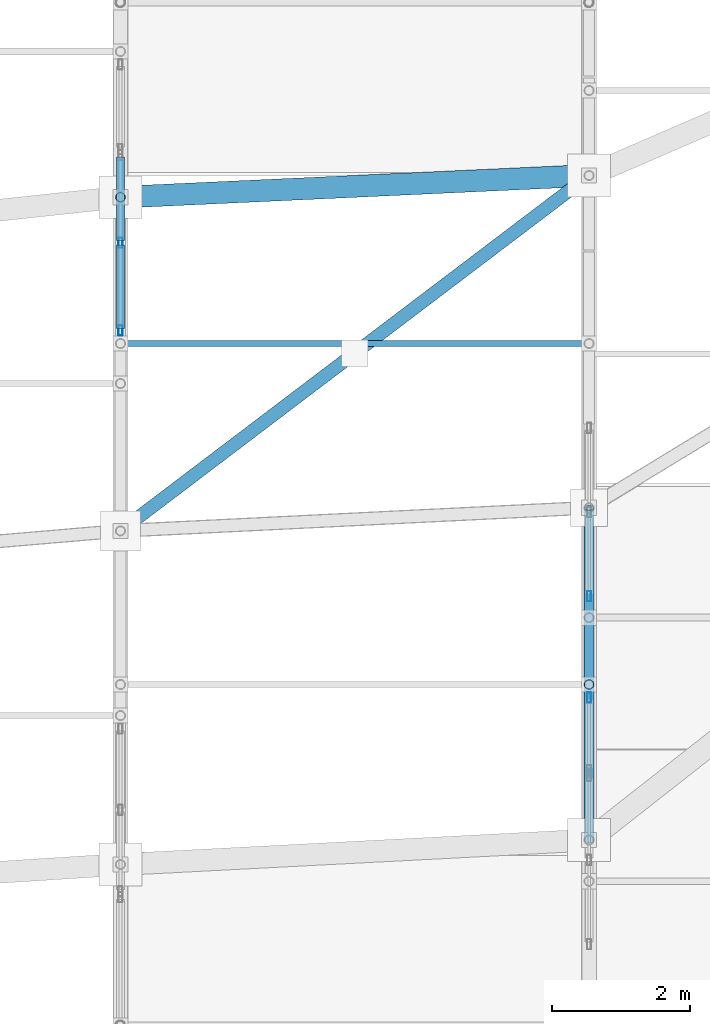
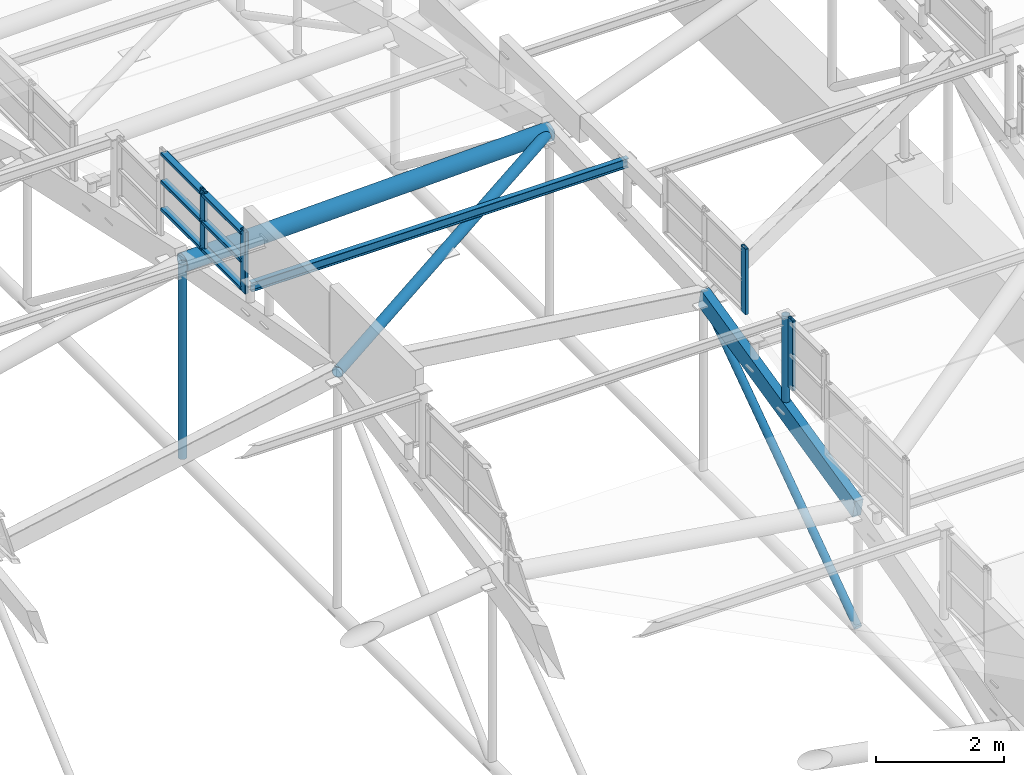
# One storey, part 90 of 188: 17 members, 3 elements without a shape of their own.
"""IFC4 building model written with IfcOpenShell, lengths in metres."""

from ifc_helpers import new_model, si_unit, direction, frame, origin, origin_2d, place, context, subcontext, project, spatial, rectangle, hollow_rectangle, hollow_circle, i_section, extrude, material, layer, layer_set, material_profile, profile_set, type_object, element, aggregate, save


model = new_model("IFC4")

# Units and contexts
model_context = context("Model", 3, precision=1e-05, world=origin(), true_north=direction((0.0, 1.0)))
body_context = subcontext(model_context, "Body", "Model", "MODEL_VIEW")
ifc_project = project(units=[si_unit("LENGTHUNIT", "METRE"), si_unit("AREAUNIT", "SQUARE_METRE"), si_unit("VOLUMEUNIT", "CUBIC_METRE"), si_unit("PLANEANGLEUNIT", "RADIAN"), si_unit("MASSUNIT", "GRAM", prefix="KILO")], contexts=[model_context])

# Site, building, storey
site_placement = place(None, origin())
site = spatial("IfcSite", under=ifc_project, at=site_placement, CompositionType="ELEMENT")
building_placement = place(site_placement, origin())
building = spatial("IfcBuilding", under=site, at=building_placement, Name="Kisaragi Civic Commons", CompositionType="ELEMENT")
storey_placement = place(building_placement, frame((0.0, 0.0, 9.60009765625)))
storey = spatial("IfcBuildingStorey", under=building, at=storey_placement, Name="L02", CompositionType="ELEMENT", Elevation=9.60009765625)

# Member
ifc_material_1 = material(Name="Steel SN400 (SN400B)", Category="steel")
ifc_material_profile_1 = material_profile(ifc_material_1, hollow_circle(Radius=0.095458984375, WallThickness=0.006103515625, at=origin_2d()), Name="CHS-190.7x6.0", Category="steel")
ifc_profile_set_1 = profile_set([ifc_material_profile_1], Name="Steel SN400 (SN400B)")
member_type_1 = type_object("IfcMemberType", Name="BR-06", PredefinedType="BRACE", material=ifc_profile_set_1)
member_1_placement = place(storey_placement, frame((20.39990234375, 98.56689453125, 4.173583984375), z_axis=(0.792279341665, 0.600787418781, -0.106526626738), x_axis=(-0.604225552814, 0.796813329034, 0.0)))
element("IfcMember", 1, at=member_1_placement, inside=storey, type_object=member_type_1, Name="V2 roof wind brace 5", PredefinedType="BRACE", context=body_context, shape_type="SweptSolid", body=[
    extrude(hollow_circle(Radius=0.095458984375, WallThickness=0.006103515625, at=origin_2d()), origin(), (0.0, 0.0, 1.0), 8.5830078125),
])

# Curtain wall, members
ifc_material_2 = material(Name="Thermally broken anodized aluminium and low-E double glazing", Category="aluminium")
ifc_layer = layer(ifc_material_2, 0.14990234375, Name="Thermally broken anodized aluminium and low-E double glazing", Category="aluminium")
ifc_layer_set = layer_set([ifc_layer], Name="Thermally broken anodized aluminium and low-E double glazing")
curtain_wall_type = type_object("IfcCurtainWallType", Name="CW-03", PredefinedType="NOTDEFINED", material=ifc_layer_set)
curtain_wall_1_placement = place(storey_placement, origin())
curtain_wall_1 = element("IfcCurtainWall", 2, at=curtain_wall_1_placement, inside=storey, type_object=curtain_wall_type, Name="L02 curtain wall CW-03 CW-CL-V2-198", PredefinedType="NOTDEFINED")
ifc_material_profile_2 = material_profile(ifc_material_2, hollow_rectangle(XDim=0.06005859375, YDim=0.14990234375, WallThickness=0.00390625, InnerFilletRadius=0.00390625, OuterFilletRadius=0.008056640625, at=origin_2d()), Name="CWM-60x150x4", Category="aluminium")
ifc_profile_set_2 = profile_set([ifc_material_profile_2], Name="Thermally broken anodized aluminium and low-E double glazing")
member_type_2 = type_object("IfcMemberType", Name="CWM-01", PredefinedType="MULLION", material=ifc_profile_set_2)
member_2_placement = place(storey_placement, frame((20.39990234375, 101.475341796875, 3.947509765625), z_axis=(0.0, 0.0, 1.0), x_axis=(-1.0, 0.0, 0.0)))
member_2 = element("IfcMember", 3, at=member_2_placement, type_object=member_type_2, Name="CW-03 mullion 1", PredefinedType="MULLION", context=body_context, shape_type="SweptSolid", body=[
    extrude(hollow_rectangle(XDim=0.06005859375, YDim=0.14990234375, WallThickness=0.00390625, InnerFilletRadius=0.00390625, OuterFilletRadius=0.008056640625, at=origin_2d()), origin(), (0.0, 0.0, 1.0), 1.174072265625),
])
member_3_placement = place(storey_placement, frame((20.39990234375, 102.747802734375, 3.947509765625), z_axis=(0.0, 0.0, 1.0), x_axis=(-1.0, 0.0, 0.0)))
member_3 = element("IfcMember", 4, at=member_3_placement, type_object=member_type_2, Name="CW-03 mullion 2", PredefinedType="MULLION", context=body_context, shape_type="SweptSolid", body=[
    extrude(hollow_rectangle(XDim=0.06005859375, YDim=0.14990234375, WallThickness=0.00390625, InnerFilletRadius=0.00390625, OuterFilletRadius=0.008056640625, at=origin_2d()), origin(), (0.0, 0.0, 1.0), 1.174072265625),
])

# Curtain wall, member
curtain_wall_2_placement = place(storey_placement, origin())
curtain_wall_2 = element("IfcCurtainWall", 5, at=curtain_wall_2_placement, inside=storey, type_object=curtain_wall_type, Name="L02 curtain wall CW-03 CW-CL-V2-205", PredefinedType="NOTDEFINED")
member_4_placement = place(storey_placement, frame((27.199951171875, 96.1474609375, 2.94970703125), z_axis=(0.0, 0.0, 1.0), x_axis=(-1.0, 0.0, 0.0)))
member_4 = element("IfcMember", 6, at=member_4_placement, type_object=member_type_2, Name="CW-03 mullion 2", PredefinedType="MULLION", context=body_context, shape_type="SweptSolid", body=[
    extrude(hollow_rectangle(XDim=0.06005859375, YDim=0.14990234375, WallThickness=0.00390625, InnerFilletRadius=0.00390625, OuterFilletRadius=0.008056640625, at=origin_2d()), origin(), (0.0, 0.0, 1.0), 1.331298828125),
])
aggregate(curtain_wall_2, [member_4])

curtain_wall_3_placement = place(storey_placement, origin())
curtain_wall_3 = element("IfcCurtainWall", 7, at=curtain_wall_3_placement, inside=storey, type_object=curtain_wall_type, Name="L02 curtain wall CW-03 CW-CL-V2-206", PredefinedType="NOTDEFINED")
member_5_placement = place(storey_placement, frame((27.199951171875, 97.619140625, 3.509521484375), z_axis=(0.0, 0.0, 1.0), x_axis=(-1.0, 0.0, 0.0)))
member_5 = element("IfcMember", 8, at=member_5_placement, type_object=member_type_2, Name="CW-03 mullion 1", PredefinedType="MULLION", context=body_context, shape_type="SweptSolid", body=[
    extrude(hollow_rectangle(XDim=0.06005859375, YDim=0.14990234375, WallThickness=0.00390625, InnerFilletRadius=0.00390625, OuterFilletRadius=0.008056640625, at=origin_2d()), origin(), (0.0, 0.0, 1.0), 1.25146484375),
])
aggregate(curtain_wall_3, [member_5])

# Member
ifc_material_profile_3 = material_profile(ifc_material_2, hollow_rectangle(XDim=0.1201171875, YDim=0.06005859375, WallThickness=0.00390625, InnerFilletRadius=0.00390625, OuterFilletRadius=0.008056640625, at=origin_2d()), Name="CWT-60x120x4", Category="aluminium")
ifc_profile_set_3 = profile_set([ifc_material_profile_3], Name="Thermally broken anodized aluminium and low-E double glazing")
member_type_3 = type_object("IfcMemberType", Name="CWT-01", PredefinedType="USERDEFINED", material=ifc_profile_set_3)
member_6_placement = place(storey_placement, frame((20.39990234375, 101.50537109375, 4.007568359375), z_axis=(0.0, 1.0, 0.0), x_axis=(-1.0, 0.0, 0.0)))
member_6 = element("IfcMember", 9, at=member_6_placement, type_object=member_type_3, Name="CW-03 transom 1.1", ObjectType="TRANSOM", PredefinedType="USERDEFINED", context=body_context, shape_type="SweptSolid", body=[
    extrude(hollow_rectangle(XDim=0.1201171875, YDim=0.06005859375, WallThickness=0.00390625, InnerFilletRadius=0.00390625, OuterFilletRadius=0.008056640625, at=origin_2d()), origin(), (0.0, 0.0, 1.0), 1.21240234375),
])

member_7_placement = place(storey_placement, frame((20.39990234375, 101.50537109375, 4.534423828125), z_axis=(0.0, 1.0, 0.0), x_axis=(-1.0, 0.0, 0.0)))
member_7 = element("IfcMember", 10, at=member_7_placement, type_object=member_type_3, Name="CW-03 transom 1.2", ObjectType="TRANSOM", PredefinedType="USERDEFINED", context=body_context, shape_type="SweptSolid", body=[
    extrude(hollow_rectangle(XDim=0.1201171875, YDim=0.06005859375, WallThickness=0.00390625, InnerFilletRadius=0.00390625, OuterFilletRadius=0.008056640625, at=origin_2d()), origin(), (0.0, 0.0, 1.0), 1.21240234375),
])

member_8_placement = place(storey_placement, frame((20.39990234375, 101.50537109375, 5.0615234375), z_axis=(0.0, 1.0, 0.0), x_axis=(-1.0, 0.0, 0.0)))
member_8 = element("IfcMember", 11, at=member_8_placement, type_object=member_type_3, Name="CW-03 transom 1.3", ObjectType="TRANSOM", PredefinedType="USERDEFINED", context=body_context, shape_type="SweptSolid", body=[
    extrude(hollow_rectangle(XDim=0.1201171875, YDim=0.06005859375, WallThickness=0.00390625, InnerFilletRadius=0.00390625, OuterFilletRadius=0.008056640625, at=origin_2d()), origin(), (0.0, 0.0, 1.0), 1.21240234375),
])

member_9_placement = place(storey_placement, frame((20.39990234375, 102.77783203125, 4.007568359375), z_axis=(0.0, 1.0, 0.0), x_axis=(-1.0, 0.0, 0.0)))
member_9 = element("IfcMember", 12, at=member_9_placement, type_object=member_type_3, Name="CW-03 transom 2.1", ObjectType="TRANSOM", PredefinedType="USERDEFINED", context=body_context, shape_type="SweptSolid", body=[
    extrude(hollow_rectangle(XDim=0.1201171875, YDim=0.06005859375, WallThickness=0.00390625, InnerFilletRadius=0.00390625, OuterFilletRadius=0.008056640625, at=origin_2d()), origin(), (0.0, 0.0, 1.0), 1.21240234375),
])

member_10_placement = place(storey_placement, frame((20.39990234375, 102.77783203125, 4.534423828125), z_axis=(0.0, 1.0, 0.0), x_axis=(-1.0, 0.0, 0.0)))
member_10 = element("IfcMember", 13, at=member_10_placement, type_object=member_type_3, Name="CW-03 transom 2.2", ObjectType="TRANSOM", PredefinedType="USERDEFINED", context=body_context, shape_type="SweptSolid", body=[
    extrude(hollow_rectangle(XDim=0.1201171875, YDim=0.06005859375, WallThickness=0.00390625, InnerFilletRadius=0.00390625, OuterFilletRadius=0.008056640625, at=origin_2d()), origin(), (0.0, 0.0, 1.0), 1.21240234375),
])

member_11_placement = place(storey_placement, frame((20.39990234375, 102.77783203125, 5.0615234375), z_axis=(0.0, 1.0, 0.0), x_axis=(-1.0, 0.0, 0.0)))
member_11 = element("IfcMember", 14, at=member_11_placement, type_object=member_type_3, Name="CW-03 transom 2.3", ObjectType="TRANSOM", PredefinedType="USERDEFINED", context=body_context, shape_type="SweptSolid", body=[
    extrude(hollow_rectangle(XDim=0.1201171875, YDim=0.06005859375, WallThickness=0.00390625, InnerFilletRadius=0.00390625, OuterFilletRadius=0.008056640625, at=origin_2d()), origin(), (0.0, 0.0, 1.0), 1.21240234375),
])

aggregate(curtain_wall_1, [member_2, member_3, member_6, member_7, member_8, member_9, member_10, member_11])

# Members
ifc_material_3 = material(Name="Steel SN490 (SN490B)", Category="steel")
ifc_material_profile_4 = material_profile(ifc_material_3, hollow_circle(Radius=0.1591796875, WallThickness=0.01025390625, at=origin_2d()), Name="CHS-318.5x10.3", Category="steel")
ifc_profile_set_4 = profile_set([ifc_material_profile_4], Name="Steel SN490 (SN490B)")
member_type_4 = type_object("IfcMemberType", Name="GC-03", PredefinedType="CHORD", material=ifc_profile_set_4)
member_12_placement = place(storey_placement, frame((20.39990234375, 103.40869140625, 3.32763671875), z_axis=(0.998880495593, 0.046226868159, -0.010041522951), x_axis=(-0.046229198913, 0.998930859053, 0.0)))
element("IfcMember", 15, at=member_12_placement, inside=storey, type_object=member_type_4, Name="V2 wave gridshell chord GC-03 26", PredefinedType="CHORD", context=body_context, shape_type="SweptSolid", body=[
    extrude(hollow_circle(Radius=0.1591796875, WallThickness=0.01025390625, at=origin_2d()), origin(), (0.0, 0.0, 1.0), 6.8076171875),
])
ifc_material_4 = material(Name="Glulam E120-F330", Category="wood")
ifc_material_profile_5 = material_profile(ifc_material_4, rectangle(XDim=0.14990234375, YDim=0.360107421875, at=origin_2d()), Name="GL-150x360", Category="wood")
ifc_profile_set_5 = profile_set([ifc_material_profile_5], Name="Glulam E120-F330")
member_type_5 = type_object("IfcMemberType", Name="GR-06", PredefinedType="RAFTER", material=ifc_profile_set_5)
member_13_placement = place(storey_placement, frame((27.199951171875, 94.079833984375, 1.916259765625), z_axis=(0.0, 0.974355429757, 0.225014436209), x_axis=(-1.0, 0.0, 0.0)))
element("IfcMember", 16, at=member_13_placement, inside=storey, type_object=member_type_5, Name="V2 glulam arch rib GR-06 36", PredefinedType="RAFTER", context=body_context, shape_type="SweptSolid", body=[
    extrude(rectangle(XDim=0.14990234375, YDim=0.360107421875, at=origin_2d()), origin(), (0.0, 0.0, 1.0), 4.94873046875),
])
ifc_material_profile_6 = material_profile(ifc_material_1, i_section(OverallWidth=0.090087890625, OverallDepth=0.175048828125, WebThickness=0.0048828125, FlangeThickness=0.008056640625, FilletRadius=0.008056640625, at=origin_2d()), Name="H-175x90x5x8", Category="steel")
ifc_profile_set_6 = profile_set([ifc_material_profile_6], Name="Steel SN400 (SN400B)")
member_type_6 = type_object("IfcMemberType", Name="PR-03", PredefinedType="PURLIN", material=ifc_profile_set_6)
member_14_placement = place(storey_placement, frame((20.39990234375, 101.285400390625, 4.161865234375), z_axis=(1.0, 0.0, 0.0), x_axis=(0.0, 1.0, 0.0)))
element("IfcMember", 17, at=member_14_placement, inside=storey, type_object=member_type_6, Name="V2 wave vault steel purlin 29", PredefinedType="PURLIN", context=body_context, shape_type="SweptSolid", body=[
    extrude(i_section(OverallWidth=0.090087890625, OverallDepth=0.175048828125, WebThickness=0.0048828125, FlangeThickness=0.008056640625, FilletRadius=0.008056640625, at=origin_2d()), origin(), (0.0, 0.0, 1.0), 6.800048828125),
])
ifc_material_profile_7 = material_profile(ifc_material_3, hollow_circle(Radius=0.06982421875, WallThickness=0.006103515625, at=origin_2d()), Name="CHS-139.8x6.0", Category="steel")
ifc_profile_set_7 = profile_set([ifc_material_profile_7], Name="Steel SN490 (SN490B)")
member_type_7 = type_object("IfcMemberType", Name="ST-H1", PredefinedType="STRUT", material=ifc_profile_set_7)
member_15_placement = place(storey_placement, frame((20.39990234375, 103.40869140625, -0.385009765625), z_axis=(0.0, 0.0, 1.0), x_axis=(1.0, 0.0, 0.0)))
element("IfcMember", 18, at=member_15_placement, inside=storey, type_object=member_type_7, Name="V2 arch tie hanger strut 49", PredefinedType="STRUT", context=body_context, shape_type="SweptSolid", body=[
    extrude(hollow_circle(Radius=0.06982421875, WallThickness=0.006103515625, at=origin_2d()), origin(), (0.0, 0.0, 1.0), 3.712646484375),
])
member_16_placement = place(storey_placement, frame((27.199951171875, 94.079833984375, -0.353271484375), z_axis=(0.0, 0.818608318167, 0.574352175435), x_axis=(-1.0, 0.0, 0.0)))
element("IfcMember", 19, at=member_16_placement, inside=storey, type_object=member_type_7, Name="V2 tied arch truss diagonal web strut 68", PredefinedType="STRUT", context=body_context, shape_type="SweptSolid", body=[
    extrude(hollow_circle(Radius=0.06982421875, WallThickness=0.006103515625, at=origin_2d()), origin(), (0.0, 0.0, 1.0), 5.89013671875),
])
member_17_placement = place(storey_placement, frame((27.199951171875, 96.33740234375, 2.4375), z_axis=(0.0, 0.0, 1.0), x_axis=(1.0, 0.0, 0.0)))
element("IfcMember", 20, at=member_17_placement, inside=storey, type_object=member_type_7, Name="V2 clerestory monitor horizontal tie strut 4.4.4", PredefinedType="STRUT", context=body_context, shape_type="SweptSolid", body=[
    extrude(hollow_circle(Radius=0.06982421875, WallThickness=0.006103515625, at=origin_2d()), origin(), (0.0, 0.0, 1.0), 1.81201171875),
])

save(model, "model.ifc")
